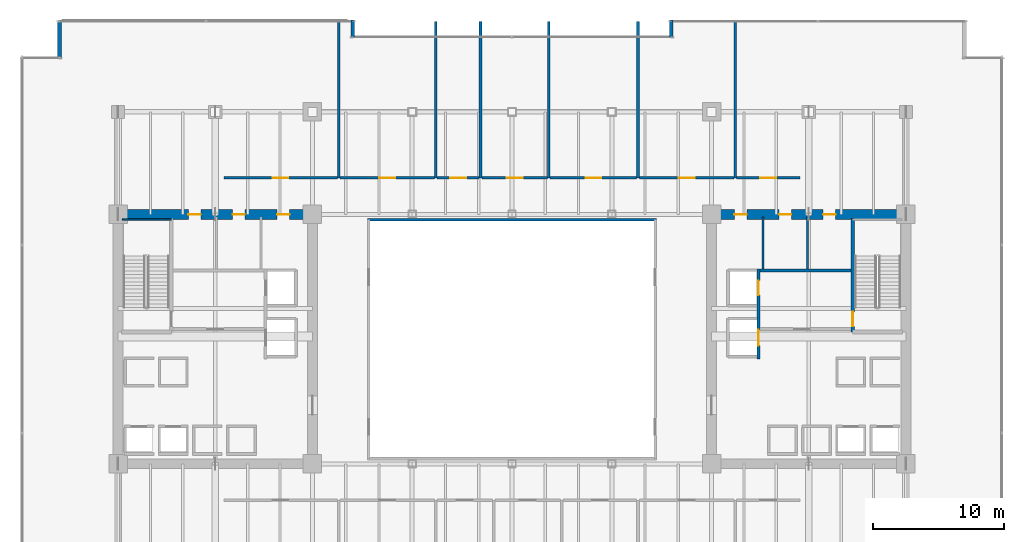
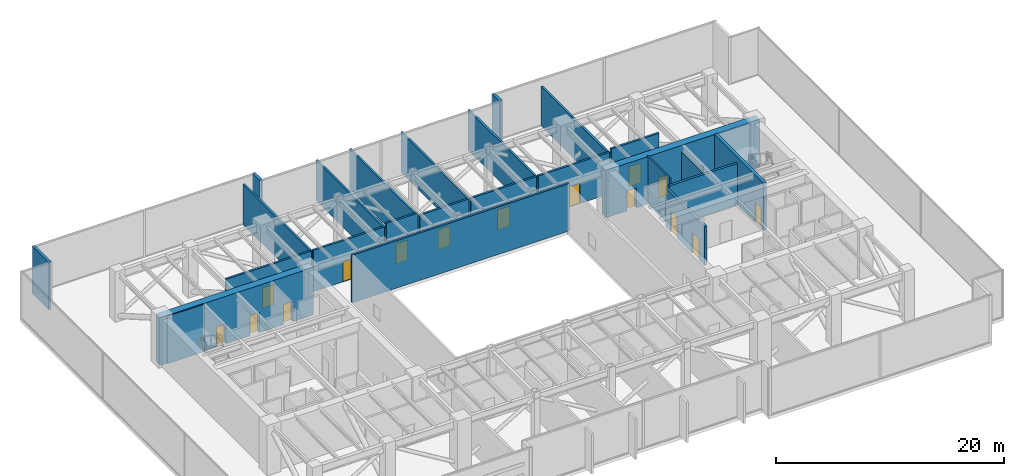
# One storey, part 34 of 38: 25 walls, 16 doors, 16 openings.
"""IFC4 building model written with IfcOpenShell, lengths in metres."""

from ifc_helpers import new_model, si_unit, direction, frame, frame_2d, origin, place, context, subcontext, project, spatial, rectangle, extrude, source, transform, mapped, material, layer, layer_set, type_object, type_shapes, element, fill, save


model = new_model("IFC4")

# Units and contexts
model_context = context("Model", 3, precision=1e-05, world=origin(), true_north=direction((0.0, 1.0)))
body_context = subcontext(model_context, "Body", "Model", "MODEL_VIEW")
ifc_project = project(units=[si_unit("LENGTHUNIT", "METRE"), si_unit("AREAUNIT", "SQUARE_METRE"), si_unit("VOLUMEUNIT", "CUBIC_METRE"), si_unit("PLANEANGLEUNIT", "RADIAN"), si_unit("MASSUNIT", "GRAM", prefix="KILO")], contexts=[model_context])

# Site, building, storey
site_placement = place(None, origin())
site = spatial("IfcSite", under=ifc_project, at=site_placement, CompositionType="ELEMENT")
building_placement = place(site_placement, origin())
building = spatial("IfcBuilding", under=site, at=building_placement, Name="Haelvirn Gate Laboratories", CompositionType="ELEMENT")
storey_placement = place(building_placement, frame((0.0, 0.0, 94.89990234375)))
storey = spatial("IfcBuildingStorey", under=building, at=storey_placement, Name="L23", CompositionType="ELEMENT", Elevation=94.89990234375)

# Walls
ifc_material_1 = material(Name="Thermally-broken bronze aluminium rainscreen & mineral wool", Category="aluminium")
ifc_layer_1 = layer(ifc_material_1, 0.280029296875, Name="EW-TERR-280")
ifc_layer_set_1 = layer_set([ifc_layer_1], Name="Thermally-broken bronze aluminium rainscreen & mineral wool")
wall_type_1 = type_object("IfcWallType", Name="EW-TERR-280", PredefinedType="STANDARD", material=ifc_layer_set_1)
for number, where, z_axis, x_axis, name in (
    (1, (49.5400390625, 48.60009765625, 0.0), (0.0, 0.0, 1.0), (0.0, -1.0, 0.0), "L23 Atrium Recess Bronze Return Wall 11"),
    (2, (25.260009765625, 47.31201171875, 0.0), (0.0, 0.0, 1.0), (0.0, 1.0, 0.0), "L23 Atrium Recess Bronze Return Wall 13"),
):
    element("IfcWall", number, at=place(storey_placement, frame(where, z_axis=z_axis, x_axis=x_axis)), inside=storey, type_object=wall_type_1, Name=name, PredefinedType="STANDARD", context=body_context, shape_type="SweptSolid", body=[
        extrude(rectangle(XDim=1.2880859375, YDim=0.280029296875, at=frame_2d((0.64404296875, 0.0))), origin(), (0.0, 0.0, 1.0), 5.090087890625),
    ])
wall_1_placement = place(storey_placement, frame((2.93994140625, 48.60009765625, 0.0), z_axis=(0.0, 0.0, 1.0), x_axis=(0.0, -1.0, 0.0)))
element("IfcWall", 3, at=wall_1_placement, inside=storey, type_object=wall_type_1, Name="L23 Atrium Recess Bronze Return Wall 15", PredefinedType="STANDARD", context=body_context, shape_type="SweptSolid", body=[
    extrude(rectangle(XDim=2.88818359375, YDim=0.280029296875, at=frame_2d((1.444091796875, 0.0))), origin(), (0.0, 0.0, 1.0), 5.090087890625),
])
ifc_material_2 = material(Name="Tempered fire-rated borosilicate glass & anodised aluminium", Category="aluminium")
ifc_layer_2 = layer(ifc_material_2, 0.195068359375, Name="IW-GLAZ-200")
ifc_layer_set_2 = layer_set([ifc_layer_2], Name="Tempered fire-rated borosilicate glass & anodised aluminium")
wall_type_2 = type_object("IfcWallType", Name="IW-GLAZ-200", PredefinedType="SOLIDWALL", material=ifc_layer_set_2)
wall_2_placement = place(storey_placement, frame((26.39990234375, 33.39990234375, 0.0), z_axis=(0.0, 0.0, 1.0), x_axis=(1.0, 0.0, 0.0)))
element("IfcWall", 4, at=wall_2_placement, inside=storey, type_object=wall_type_2, Name="L23 Interior Wall IW-L23-ATRIUM-N", PredefinedType="SOLIDWALL", context=body_context, shape_type="SweptSolid", body=[
    extrude(rectangle(XDim=22.0, YDim=0.195068359375, at=frame_2d((11.0, 0.0))), origin(), (0.0, 0.0, 1.0), 5.090087890625),
])
ifc_material_3 = material(Name="Cement-board restroom plumbing chase wall", Category="gypsum")
ifc_layer_3 = layer(ifc_material_3, 0.155029296875, Name="IW-PLUMB-160")
ifc_layer_set_3 = layer_set([ifc_layer_3], Name="Cement-board restroom plumbing chase wall")
wall_type_3 = type_object("IfcWallType", Name="IW-PLUMB-160", PredefinedType="PLUMBINGWALL", material=ifc_layer_set_3)
wall_3_placement = place(storey_placement, frame((59.909912109375, 29.64990234375, 0.0), z_axis=(0.0, 0.0, 1.0), x_axis=(0.0, 1.0, 0.0)))
element("IfcWall", 5, at=wall_3_placement, inside=storey, type_object=wall_type_3, Name="L23 Interior Wall IW-L23-E-CDIV-1", PredefinedType="PLUMBINGWALL", context=body_context, shape_type="SweptSolid", body=[
    extrude(rectangle(XDim=3.93017578125, YDim=0.155029296875, at=frame_2d((1.965087890625, 0.0))), origin(), (0.0, 0.0, 1.0), 4.425048828125),
])
wall_4_placement = place(storey_placement, frame((56.510009765625, 29.64990234375, 0.0), z_axis=(0.0, 0.0, 1.0), x_axis=(0.0, 1.0, 0.0)))
element("IfcWall", 6, at=wall_4_placement, inside=storey, type_object=wall_type_3, Name="L23 Interior Wall IW-L23-E-CDIV-2", PredefinedType="PLUMBINGWALL", context=body_context, shape_type="SweptSolid", body=[
    extrude(rectangle(XDim=3.93017578125, YDim=0.155029296875, at=frame_2d((1.965087890625, 0.0))), origin(), (0.0, 0.0, 1.0), 5.090087890625),
])

# Wall, opening, door
ifc_material_4 = material(Name="Concrete C40/50", Category="concrete")
ifc_layer_4 = layer(ifc_material_4, 0.199951171875, Name="IW-SHAFT-200")
ifc_layer_set_4 = layer_set([ifc_layer_4], Name="Concrete C40/50")
wall_type_4 = type_object("IfcWallType", Name="IW-SHAFT-200", PredefinedType="SOLIDWALL", material=ifc_layer_set_4)
wall_5_placement = place(storey_placement, frame((15.449951171875, 36.580078125, 0.0), z_axis=(0.0, 0.0, 1.0), x_axis=(1.0, 0.0, 0.0)))
wall_5 = element("IfcWall", 7, at=wall_5_placement, inside=storey, type_object=wall_type_4, Name="L23 Interior Wall IW-L23-PNW-1", PredefinedType="SOLIDWALL", context=body_context, shape_type="SweptSolid", body=[
    extrude(rectangle(XDim=8.650146484375, YDim=0.199951171875, at=frame_2d((4.3251953125, 0.0))), origin(), (0.0, 0.0, 1.0), 4.425048828125),
])
opening_1_placement = place(wall_5_placement, frame((3.72509765625, 0.0, 0.0)))
opening_1 = element("IfcOpeningElement", 8, at=opening_1_placement, cuts=wall_5, Name="Opening FD2", PredefinedType="OPENING", context=body_context, shape_type="SweptSolid", body=[
    extrude(rectangle(XDim=1.199951171875, YDim=2.159912109375, at=frame_2d((0.60009765625, 1.080078125))), frame((0.0, 0.10986328125, 0.0), z_axis=(0.0, -1.0, 0.0), x_axis=(1.0, 0.0, 0.0)), (0.0, 0.0, 1.0), 0.219970703125),
])
ifc_material_5 = material(Name="Fire-rated steel SM355 compartment door", Category="steel")
door_type_1 = type_object("IfcDoorType", Name="DR-FD-1200", OperationType="NOTDEFINED", PredefinedType="DOOR", material=ifc_material_5)
shared_shape_1 = source(origin(), body_context, "Body", "SweptSolid", [
    extrude(rectangle(XDim=1.199951171875, YDim=2.159912109375, at=frame_2d((0.60009765625, 1.080078125))), frame((0.0, 0.02490234375, 0.0), z_axis=(0.0, -1.0, 0.0), x_axis=(1.0, 0.0, 0.0)), (0.0, 0.0, 1.0), 0.050048828125),
])
type_shapes(door_type_1, [shared_shape_1])
door_1_placement = place(opening_1_placement, origin())
door_1 = element("IfcDoor", 9, at=door_1_placement, inside=storey, type_object=door_type_1, Name="L23 North-West Sky Evacuation Refuge Zone 1A Fire Door", OperationType="SINGLE_SWING_RIGHT", OverallHeight=2.159912109375, OverallWidth=1.199951171875, PredefinedType="DOOR", context=body_context, shape_type="MappedRepresentation", body=[
    mapped(shared_shape_1, transform((0.0, 0.0, 0.0), scale=1.0)),
])
fill(opening_1, door_1)

# Wall
wall_6_placement = place(storey_placement, frame((24.199951171875, 36.580078125, 0.0), z_axis=(0.0, 0.0, 1.0), x_axis=(0.0, 1.0, 0.0)))
element("IfcWall", 10, at=wall_6_placement, inside=storey, type_object=wall_type_4, Name="L23 Interior Wall IW-L23-PNDIV-1", PredefinedType="SOLIDWALL", context=body_context, shape_type="SweptSolid", body=[
    extrude(rectangle(XDim=11.909912109375, YDim=0.199951171875, at=frame_2d((5.955078125, 0.0))), origin(), (0.0, 0.0, 1.0), 4.3251953125),
])

# Wall, opening, door
wall_7_placement = place(storey_placement, frame((24.300048828125, 36.580078125, 0.0), z_axis=(0.0, 0.0, 1.0), x_axis=(1.0, 0.0, 0.0)))
wall_7 = element("IfcWall", 11, at=wall_7_placement, inside=storey, type_object=wall_type_4, Name="L23 Interior Wall IW-L23-PNW-2", PredefinedType="SOLIDWALL", context=body_context, shape_type="SweptSolid", body=[
    extrude(rectangle(XDim=7.199951171875, YDim=0.199951171875, at=frame_2d((3.60009765625, 0.0))), origin(), (0.0, 0.0, 1.0), 4.425048828125),
])
opening_2_placement = place(wall_7_placement, frame((3.0, 0.0, 0.0)))
opening_2 = element("IfcOpeningElement", 12, at=opening_2_placement, cuts=wall_7, Name="Opening FD2", PredefinedType="OPENING", context=body_context, shape_type="SweptSolid", body=[
    extrude(rectangle(XDim=1.199951171875, YDim=2.159912109375, at=frame_2d((0.60009765625, 1.080078125))), frame((0.0, 0.10986328125, 0.0), z_axis=(0.0, -1.0, 0.0), x_axis=(1.0, 0.0, 0.0)), (0.0, 0.0, 1.0), 0.219970703125),
])
door_2_placement = place(opening_2_placement, origin())
door_2 = element("IfcDoor", 13, at=door_2_placement, inside=storey, type_object=door_type_1, Name="L23 North-West Sky Evacuation Refuge Zone 1B Fire Door", OperationType="SINGLE_SWING_LEFT", OverallHeight=2.159912109375, OverallWidth=1.199951171875, PredefinedType="DOOR", context=body_context, shape_type="MappedRepresentation", body=[
    mapped(shared_shape_1, transform((0.0, 0.0, 0.0), scale=1.0)),
])
fill(opening_2, door_2)

# Wall
wall_8_placement = place(storey_placement, frame((31.60009765625, 36.580078125, 0.0), z_axis=(0.0, 0.0, 1.0), x_axis=(0.0, 1.0, 0.0)))
element("IfcWall", 14, at=wall_8_placement, inside=storey, type_object=wall_type_4, Name="L23 Interior Wall IW-L23-PNDIV-2", PredefinedType="SOLIDWALL", context=body_context, shape_type="SweptSolid", body=[
    extrude(rectangle(XDim=11.909912109375, YDim=0.199951171875, at=frame_2d((5.955078125, 0.0))), origin(), (0.0, 0.0, 1.0), 4.3251953125),
])

# Wall, opening, door
wall_9_placement = place(storey_placement, frame((31.699951171875, 36.580078125, 0.0), z_axis=(0.0, 0.0, 1.0), x_axis=(1.0, 0.0, 0.0)))
wall_9 = element("IfcWall", 15, at=wall_9_placement, inside=storey, type_object=wall_type_4, Name="L23 Interior Wall IW-L23-PNW-3", PredefinedType="SOLIDWALL", context=body_context, shape_type="SweptSolid", body=[
    extrude(rectangle(XDim=3.199951171875, YDim=0.199951171875, at=frame_2d((1.60009765625, 0.0))), origin(), (0.0, 0.0, 1.0), 4.72509765625),
])
opening_3_placement = place(wall_9_placement, frame((1.0, 0.0, 0.0)))
opening_3 = element("IfcOpeningElement", 16, at=opening_3_placement, cuts=wall_9, Name="Opening FD2", PredefinedType="OPENING", context=body_context, shape_type="SweptSolid", body=[
    extrude(rectangle(XDim=1.199951171875, YDim=2.159912109375, at=frame_2d((0.60009765625, 1.080078125))), frame((0.0, 0.10986328125, 0.0), z_axis=(0.0, -1.0, 0.0), x_axis=(1.0, 0.0, 0.0)), (0.0, 0.0, 1.0), 0.219970703125),
])
door_3_placement = place(opening_3_placement, origin())
door_3 = element("IfcDoor", 17, at=door_3_placement, inside=storey, type_object=door_type_1, Name="L23 Low-Zone AHU Mechanical Plant Fire Door", OperationType="SINGLE_SWING_RIGHT", OverallHeight=2.159912109375, OverallWidth=1.199951171875, PredefinedType="DOOR", context=body_context, shape_type="MappedRepresentation", body=[
    mapped(shared_shape_1, transform((0.0, 0.0, 0.0), scale=1.0)),
])
fill(opening_3, door_3)

# Wall
wall_10_placement = place(storey_placement, frame((35.0, 36.580078125, 0.0), z_axis=(0.0, 0.0, 1.0), x_axis=(0.0, 1.0, 0.0)))
element("IfcWall", 18, at=wall_10_placement, inside=storey, type_object=wall_type_4, Name="L23 Interior Wall IW-L23-PNDIV-3", PredefinedType="SOLIDWALL", context=body_context, shape_type="SweptSolid", body=[
    extrude(rectangle(XDim=11.909912109375, YDim=0.199951171875, at=frame_2d((5.955078125, 0.0))), origin(), (0.0, 0.0, 1.0), 4.3251953125),
])

# Wall, opening, door
wall_11_placement = place(storey_placement, frame((35.10009765625, 36.580078125, 0.0), z_axis=(0.0, 0.0, 1.0), x_axis=(1.0, 0.0, 0.0)))
wall_11 = element("IfcWall", 19, at=wall_11_placement, inside=storey, type_object=wall_type_4, Name="L23 Interior Wall IW-L23-PNW-4", PredefinedType="SOLIDWALL", context=body_context, shape_type="SweptSolid", body=[
    extrude(rectangle(XDim=5.0, YDim=0.199951171875, at=frame_2d((2.5, 0.0))), origin(), (0.0, 0.0, 1.0), 4.425048828125),
])
opening_4_placement = place(wall_11_placement, frame((1.89990234375, 0.0, 0.0)))
opening_4 = element("IfcOpeningElement", 20, at=opening_4_placement, cuts=wall_11, Name="Opening FD2", PredefinedType="OPENING", context=body_context, shape_type="SweptSolid", body=[
    extrude(rectangle(XDim=1.199951171875, YDim=2.159912109375, at=frame_2d((0.60009765625, 1.080078125))), frame((0.0, 0.10986328125, 0.0), z_axis=(0.0, -1.0, 0.0), x_axis=(1.0, 0.0, 0.0)), (0.0, 0.0, 1.0), 0.219970703125),
])
door_4_placement = place(opening_4_placement, origin())
door_4 = element("IfcDoor", 21, at=door_4_placement, inside=storey, type_object=door_type_1, Name="L23 Glycol Heat-Recovery Plant Fire Door", OperationType="SINGLE_SWING_LEFT", OverallHeight=2.159912109375, OverallWidth=1.199951171875, PredefinedType="DOOR", context=body_context, shape_type="MappedRepresentation", body=[
    mapped(shared_shape_1, transform((0.0, 0.0, 0.0), scale=1.0)),
])
fill(opening_4, door_4)

# Wall
wall_12_placement = place(storey_placement, frame((40.199951171875, 36.580078125, 0.0), z_axis=(0.0, 0.0, 1.0), x_axis=(0.0, 1.0, 0.0)))
element("IfcWall", 22, at=wall_12_placement, inside=storey, type_object=wall_type_4, Name="L23 Interior Wall IW-L23-PNDIV-4", PredefinedType="SOLIDWALL", context=body_context, shape_type="SweptSolid", body=[
    extrude(rectangle(XDim=11.909912109375, YDim=0.199951171875, at=frame_2d((5.955078125, 0.0))), origin(), (0.0, 0.0, 1.0), 4.3251953125),
])

# Wall, opening, door
wall_13_placement = place(storey_placement, frame((40.300048828125, 36.580078125, 0.0), z_axis=(0.0, 0.0, 1.0), x_axis=(1.0, 0.0, 0.0)))
wall_13 = element("IfcWall", 23, at=wall_13_placement, inside=storey, type_object=wall_type_4, Name="L23 Interior Wall IW-L23-PNW-5", PredefinedType="SOLIDWALL", context=body_context, shape_type="SweptSolid", body=[
    extrude(rectangle(XDim=6.599853515625, YDim=0.199951171875, at=frame_2d((3.2998046875, 0.0))), origin(), (0.0, 0.0, 1.0), 4.425048828125),
])
opening_5_placement = place(wall_13_placement, frame((2.699951171875, 0.0, 0.0)))
opening_5 = element("IfcOpeningElement", 24, at=opening_5_placement, cuts=wall_13, Name="Opening FD2", PredefinedType="OPENING", context=body_context, shape_type="SweptSolid", body=[
    extrude(rectangle(XDim=1.199951171875, YDim=2.159912109375, at=frame_2d((0.60009765625, 1.080078125))), frame((0.0, 0.10986328125, 0.0), z_axis=(0.0, -1.0, 0.0), x_axis=(1.0, 0.0, 0.0)), (0.0, 0.0, 1.0), 0.219970703125),
])
door_5_placement = place(opening_5_placement, origin())
door_5 = element("IfcDoor", 25, at=door_5_placement, inside=storey, type_object=door_type_1, Name="L23 Standby Controls & MEP Plant Fire Door", OperationType="SINGLE_SWING_RIGHT", OverallHeight=2.159912109375, OverallWidth=1.199951171875, PredefinedType="DOOR", context=body_context, shape_type="MappedRepresentation", body=[
    mapped(shared_shape_1, transform((0.0, 0.0, 0.0), scale=1.0)),
])
fill(opening_5, door_5)

# Wall
wall_14_placement = place(storey_placement, frame((47.0, 36.580078125, 0.0), z_axis=(0.0, 0.0, 1.0), x_axis=(0.0, 1.0, 0.0)))
element("IfcWall", 26, at=wall_14_placement, inside=storey, type_object=wall_type_4, Name="L23 Interior Wall IW-L23-PNDIV-5", PredefinedType="SOLIDWALL", context=body_context, shape_type="SweptSolid", body=[
    extrude(rectangle(XDim=11.909912109375, YDim=0.199951171875, at=frame_2d((5.955078125, 0.0))), origin(), (0.0, 0.0, 1.0), 4.3251953125),
])

# Wall, opening, door
wall_15_placement = place(storey_placement, frame((47.10009765625, 36.580078125, 0.0), z_axis=(0.0, 0.0, 1.0), x_axis=(1.0, 0.0, 0.0)))
wall_15 = element("IfcWall", 27, at=wall_15_placement, inside=storey, type_object=wall_type_4, Name="L23 Interior Wall IW-L23-PNW-6", PredefinedType="SOLIDWALL", context=body_context, shape_type="SweptSolid", body=[
    extrude(rectangle(XDim=7.199951171875, YDim=0.199951171875, at=frame_2d((3.60009765625, 0.0))), origin(), (0.0, 0.0, 1.0), 4.425048828125),
])
opening_6_placement = place(wall_15_placement, frame((3.0, 0.0, 0.0)))
opening_6 = element("IfcOpeningElement", 28, at=opening_6_placement, cuts=wall_15, Name="Opening FD2", PredefinedType="OPENING", context=body_context, shape_type="SweptSolid", body=[
    extrude(rectangle(XDim=1.199951171875, YDim=2.159912109375, at=frame_2d((0.60009765625, 1.080078125))), frame((0.0, 0.10986328125, 0.0), z_axis=(0.0, -1.0, 0.0), x_axis=(1.0, 0.0, 0.0)), (0.0, 0.0, 1.0), 0.219970703125),
])
door_6_placement = place(opening_6_placement, origin())
door_6 = element("IfcDoor", 29, at=door_6_placement, inside=storey, type_object=door_type_1, Name="L23 North-East Sky Evacuation Refuge Zone 1B Fire Door", OperationType="SINGLE_SWING_LEFT", OverallHeight=2.159912109375, OverallWidth=1.199951171875, PredefinedType="DOOR", context=body_context, shape_type="MappedRepresentation", body=[
    mapped(shared_shape_1, transform((0.0, 0.0, 0.0), scale=1.0)),
])
fill(opening_6, door_6)

# Wall
wall_16_placement = place(storey_placement, frame((54.39990234375, 36.580078125, 0.0), z_axis=(0.0, 0.0, 1.0), x_axis=(0.0, 1.0, 0.0)))
element("IfcWall", 30, at=wall_16_placement, inside=storey, type_object=wall_type_4, Name="L23 Interior Wall IW-L23-PNDIV-6", PredefinedType="SOLIDWALL", context=body_context, shape_type="SweptSolid", body=[
    extrude(rectangle(XDim=11.909912109375, YDim=0.199951171875, at=frame_2d((5.955078125, 0.0))), origin(), (0.0, 0.0, 1.0), 4.22509765625),
])

# Wall, opening, door
wall_17_placement = place(storey_placement, frame((54.5, 36.580078125, 0.0), z_axis=(0.0, 0.0, 1.0), x_axis=(1.0, 0.0, 0.0)))
wall_17 = element("IfcWall", 31, at=wall_17_placement, inside=storey, type_object=wall_type_4, Name="L23 Interior Wall IW-L23-PNW-7", PredefinedType="SOLIDWALL", context=body_context, shape_type="SweptSolid", body=[
    extrude(rectangle(XDim=4.85009765625, YDim=0.199951171875, at=frame_2d((2.425048828125, 0.0))), origin(), (0.0, 0.0, 1.0), 4.72509765625),
])
opening_7_placement = place(wall_17_placement, frame((1.824951171875, 0.0, 0.0)))
opening_7 = element("IfcOpeningElement", 32, at=opening_7_placement, cuts=wall_17, Name="Opening FD2", PredefinedType="OPENING", context=body_context, shape_type="SweptSolid", body=[
    extrude(rectangle(XDim=1.199951171875, YDim=2.159912109375, at=frame_2d((0.60009765625, 1.080078125))), frame((0.0, 0.10986328125, 0.0), z_axis=(0.0, -1.0, 0.0), x_axis=(1.0, 0.0, 0.0)), (0.0, 0.0, 1.0), 0.219970703125),
])
door_7_placement = place(opening_7_placement, origin())
door_7 = element("IfcDoor", 33, at=door_7_placement, inside=storey, type_object=door_type_1, Name="L23 North-East Sky Evacuation Refuge Zone 1A Fire Door", OperationType="SINGLE_SWING_RIGHT", OverallHeight=2.159912109375, OverallWidth=1.199951171875, PredefinedType="DOOR", context=body_context, shape_type="MappedRepresentation", body=[
    mapped(shared_shape_1, transform((0.0, 0.0, 0.0), scale=1.0)),
])
fill(opening_7, door_7)

# Wall
ifc_layer_5 = layer(ifc_material_4, 0.239990234375, Name="IW-SHAFT-240")
ifc_layer_set_5 = layer_set([ifc_layer_5], Name="Concrete C40/50")
wall_type_5 = type_object("IfcWallType", Name="IW-SHAFT-240", PredefinedType="SOLIDWALL", material=ifc_layer_set_5)
wall_18_placement = place(storey_placement, frame((56.280029296875, 29.52001953125, 0.0), z_axis=(0.0, 0.0, 1.0), x_axis=(1.0, 0.0, 0.0)))
element("IfcWall", 34, at=wall_18_placement, inside=storey, type_object=wall_type_5, Name="L23 Interior Wall IW-L23-E-FF-N", PredefinedType="SOLIDWALL", context=body_context, shape_type="SweptSolid", body=[
    extrude(rectangle(XDim=6.919921875, YDim=0.239990234375, at=frame_2d((3.4599609375, 0.0))), origin(), (0.0, 0.0, 1.0), 4.425048828125),
])

# Wall, openings, doors
wall_19_placement = place(storey_placement, frame((56.159912109375, 22.800048828125, 0.0), z_axis=(0.0, 0.0, 1.0), x_axis=(0.0, 1.0, 0.0)))
wall_19 = element("IfcWall", 35, at=wall_19_placement, inside=storey, type_object=wall_type_5, Name="L23 Interior Wall IW-L23-E-FF-E", PredefinedType="SOLIDWALL", context=body_context, shape_type="SweptSolid", body=[
    extrude(rectangle(XDim=6.849853515625, YDim=0.239990234375, at=frame_2d((3.4248046875, 0.0))), origin(), (0.0, 0.0, 1.0), 4.175048828125),
])
opening_8_placement = place(wall_19_placement, frame((4.85009765625, 0.0, 0.0)))
opening_8 = element("IfcOpeningElement", 36, at=opening_8_placement, cuts=wall_19, Name="Opening LD2", PredefinedType="OPENING", context=body_context, shape_type="SweptSolid", body=[
    extrude(rectangle(XDim=1.10009765625, YDim=2.219970703125, at=frame_2d((0.550048828125, 1.10986328125))), frame((0.0, 0.1298828125, 0.0), z_axis=(0.0, -1.0, 0.0), x_axis=(1.0, 0.0, 0.0)), (0.0, 0.0, 1.0), 0.260009765625),
])
opening_9_placement = place(wall_19_placement, frame((1.0, 0.0, 0.0)))
opening_9 = element("IfcOpeningElement", 37, at=opening_9_placement, cuts=wall_19, Name="Opening LD1", PredefinedType="OPENING", context=body_context, shape_type="SweptSolid", body=[
    extrude(rectangle(XDim=1.199951171875, YDim=2.219970703125, at=frame_2d((0.60009765625, 1.10986328125))), frame((0.0, 0.1298828125, 0.0), z_axis=(0.0, -1.0, 0.0), x_axis=(1.0, 0.0, 0.0)), (0.0, 0.0, 1.0), 0.260009765625),
])
ifc_material_6 = material(Name="Bronze stainless 316L sliding lift landing door")
door_type_2 = type_object("IfcDoorType", Name="DR-LD-1100", OperationType="NOTDEFINED", PredefinedType="USERDEFINED", material=ifc_material_6)
shared_shape_2 = source(origin(), body_context, "Body", "SweptSolid", [
    extrude(rectangle(XDim=1.10009765625, YDim=2.219970703125, at=frame_2d((0.550048828125, 1.10986328125))), frame((0.0, 0.02490234375, 0.0), z_axis=(0.0, -1.0, 0.0), x_axis=(1.0, 0.0, 0.0)), (0.0, 0.0, 1.0), 0.050048828125),
])
type_shapes(door_type_2, [shared_shape_2])
door_8_placement = place(opening_8_placement, origin())
door_8 = element("IfcDoor", 38, at=door_8_placement, inside=storey, type_object=door_type_2, Name="L23 Firefighting Lift FL2 Landing Door", ObjectType="LANDING_DOOR", OperationType="SLIDING_TO_RIGHT", OverallHeight=2.219970703125, OverallWidth=1.10009765625, PredefinedType="USERDEFINED", context=body_context, shape_type="MappedRepresentation", body=[
    mapped(shared_shape_2, transform((0.0, 0.0, 0.0), scale=1.0)),
])
fill(opening_8, door_8)
ifc_material_7 = material(Name="Stainless steel 316L sliding goods landing door", Category="steel")
door_type_3 = type_object("IfcDoorType", Name="DR-LD-1200", OperationType="NOTDEFINED", PredefinedType="USERDEFINED", material=ifc_material_7)
shared_shape_3 = source(origin(), body_context, "Body", "SweptSolid", [
    extrude(rectangle(XDim=1.199951171875, YDim=2.219970703125, at=frame_2d((0.60009765625, 1.10986328125))), frame((0.0, 0.02490234375, 0.0), z_axis=(0.0, -1.0, 0.0), x_axis=(1.0, 0.0, 0.0)), (0.0, 0.0, 1.0), 0.050048828125),
])
type_shapes(door_type_3, [shared_shape_3])
door_9_placement = place(opening_9_placement, origin())
door_9 = element("IfcDoor", 39, at=door_9_placement, inside=storey, type_object=door_type_3, Name="L23 Service Lift SL2 Landing Door", ObjectType="LANDING_DOOR", OperationType="SLIDING_TO_LEFT", OverallHeight=2.219970703125, OverallWidth=1.199951171875, PredefinedType="USERDEFINED", context=body_context, shape_type="MappedRepresentation", body=[
    mapped(shared_shape_3, transform((0.0, 0.0, 0.0), scale=1.0)),
])
fill(opening_9, door_9)

ifc_material_8 = material(Name="Concrete C70/85", Category="concrete")
ifc_layer_6 = layer(ifc_material_8, 0.75, Name="SW-CORE-750")
ifc_layer_set_6 = layer_set([ifc_layer_6], Name="Concrete C70/85")
wall_type_6 = type_object("IfcWallType", Name="SW-CORE-750", PredefinedType="SHEAR", material=ifc_layer_set_6)
wall_20_placement = place(storey_placement, frame((7.02490234375, 33.800048828125, 0.0), z_axis=(0.0, 0.0, 1.0), x_axis=(1.0, 0.0, 0.0)))
wall_20 = element("IfcWall", 40, at=wall_20_placement, inside=storey, type_object=wall_type_6, Name="L23 W Core Shear Wall N", PredefinedType="SHEAR", context=body_context, shape_type="SweptSolid", body=[
    extrude(rectangle(XDim=15.550048828125, YDim=0.75, at=frame_2d((7.77490234375, 0.0))), origin(), (0.0, 0.0, 1.0), 5.090087890625),
])
opening_10_placement = place(wall_20_placement, frame((5.72509765625, 0.0, 0.0)))
opening_10 = element("IfcOpeningElement", 41, at=opening_10_placement, cuts=wall_20, Name="Opening FD4", PredefinedType="OPENING", context=body_context, shape_type="SweptSolid", body=[
    extrude(rectangle(XDim=0.949951171875, YDim=2.14990234375, at=frame_2d((0.47509765625, 1.074951171875))), frame((0.0, 0.385009765625, 0.0), z_axis=(0.0, -1.0, 0.0), x_axis=(1.0, 0.0, 0.0)), (0.0, 0.0, 1.0), 0.77001953125),
])
opening_11_placement = place(wall_20_placement, frame((9.090087890625, 0.0, 0.0)))
opening_11 = element("IfcOpeningElement", 42, at=opening_11_placement, cuts=wall_20, Name="Opening FD4", PredefinedType="OPENING", context=body_context, shape_type="SweptSolid", body=[
    extrude(rectangle(XDim=0.949951171875, YDim=2.14990234375, at=frame_2d((0.47509765625, 1.074951171875))), frame((0.0, 0.385009765625, 0.0), z_axis=(0.0, -1.0, 0.0), x_axis=(1.0, 0.0, 0.0)), (0.0, 0.0, 1.0), 0.77001953125),
])
opening_12_placement = place(wall_20_placement, frame((12.489990234375, 0.0, 0.0)))
opening_12 = element("IfcOpeningElement", 43, at=opening_12_placement, cuts=wall_20, Name="Opening FD4", PredefinedType="OPENING", context=body_context, shape_type="SweptSolid", body=[
    extrude(rectangle(XDim=0.949951171875, YDim=2.14990234375, at=frame_2d((0.47509765625, 1.074951171875))), frame((0.0, 0.385009765625, 0.0), z_axis=(0.0, -1.0, 0.0), x_axis=(1.0, 0.0, 0.0)), (0.0, 0.0, 1.0), 0.77001953125),
])
ifc_material_9 = material(Name="Fire-rated steel SM355 core service door", Category="steel")
door_type_4 = type_object("IfcDoorType", Name="DR-FD-950", OperationType="NOTDEFINED", PredefinedType="DOOR", material=ifc_material_9)
shared_shape_4 = source(origin(), body_context, "Body", "SweptSolid", [
    extrude(rectangle(XDim=0.949951171875, YDim=2.14990234375, at=frame_2d((0.47509765625, 1.074951171875))), frame((0.0, 0.02490234375, 0.0), z_axis=(0.0, -1.0, 0.0), x_axis=(1.0, 0.0, 0.0)), (0.0, 0.0, 1.0), 0.050048828125),
])
type_shapes(door_type_4, [shared_shape_4])
door_10_placement = place(opening_10_placement, origin())
door_10 = element("IfcDoor", 44, at=door_10_placement, inside=storey, type_object=door_type_4, Name="L23 Male Restroom Fire Door", OperationType="SINGLE_SWING_RIGHT", OverallHeight=2.14990234375, OverallWidth=0.949951171875, PredefinedType="DOOR", context=body_context, shape_type="MappedRepresentation", body=[
    mapped(shared_shape_4, transform((0.0, 0.0, 0.0), scale=1.0)),
])
fill(opening_10, door_10)
door_11_placement = place(opening_11_placement, origin())
door_11 = element("IfcDoor", 45, at=door_11_placement, inside=storey, type_object=door_type_4, Name="L23 Female Restroom Fire Door", OperationType="SINGLE_SWING_LEFT", OverallHeight=2.14990234375, OverallWidth=0.949951171875, PredefinedType="DOOR", context=body_context, shape_type="MappedRepresentation", body=[
    mapped(shared_shape_4, transform((0.0, 0.0, 0.0), scale=1.0)),
])
fill(opening_11, door_11)
door_12_placement = place(opening_12_placement, origin())
door_12 = element("IfcDoor", 46, at=door_12_placement, inside=storey, type_object=door_type_4, Name="L23 Accessible Restroom Fire Door", OperationType="SINGLE_SWING_RIGHT", OverallHeight=2.14990234375, OverallWidth=0.949951171875, PredefinedType="DOOR", context=body_context, shape_type="MappedRepresentation", body=[
    mapped(shared_shape_4, transform((0.0, 0.0, 0.0), scale=1.0)),
])
fill(opening_12, door_12)

wall_21_placement = place(storey_placement, frame((52.22509765625, 33.800048828125, 0.0), z_axis=(0.0, 0.0, 1.0), x_axis=(1.0, 0.0, 0.0)))
wall_21 = element("IfcWall", 47, at=wall_21_placement, inside=storey, type_object=wall_type_6, Name="L23 E Core Shear Wall N", PredefinedType="SHEAR", context=body_context, shape_type="SweptSolid", body=[
    extrude(rectangle(XDim=15.5498046875, YDim=0.75, at=frame_2d((7.77490234375, 0.0))), origin(), (0.0, 0.0, 1.0), 5.090087890625),
])
opening_13_placement = place(wall_21_placement, frame((8.875, 0.0, 0.0)))
opening_13 = element("IfcOpeningElement", 48, at=opening_13_placement, cuts=wall_21, Name="Opening FD4", PredefinedType="OPENING", context=body_context, shape_type="SweptSolid", body=[
    extrude(rectangle(XDim=0.949951171875, YDim=2.14990234375, at=frame_2d((0.47509765625, 1.074951171875))), frame((0.0, 0.385009765625, 0.0), z_axis=(0.0, -1.0, 0.0), x_axis=(1.0, 0.0, 0.0)), (0.0, 0.0, 1.0), 0.77001953125),
])
opening_14_placement = place(wall_21_placement, frame((5.510009765625, 0.0, 0.0)))
opening_14 = element("IfcOpeningElement", 49, at=opening_14_placement, cuts=wall_21, Name="Opening FD4", PredefinedType="OPENING", context=body_context, shape_type="SweptSolid", body=[
    extrude(rectangle(XDim=0.949951171875, YDim=2.14990234375, at=frame_2d((0.47509765625, 1.074951171875))), frame((0.0, 0.385009765625, 0.0), z_axis=(0.0, -1.0, 0.0), x_axis=(1.0, 0.0, 0.0)), (0.0, 0.0, 1.0), 0.77001953125),
])
opening_15_placement = place(wall_21_placement, frame((2.110107421875, 0.0, 0.0)))
opening_15 = element("IfcOpeningElement", 50, at=opening_15_placement, cuts=wall_21, Name="Opening FD4", PredefinedType="OPENING", context=body_context, shape_type="SweptSolid", body=[
    extrude(rectangle(XDim=0.949951171875, YDim=2.14990234375, at=frame_2d((0.47509765625, 1.074951171875))), frame((0.0, 0.385009765625, 0.0), z_axis=(0.0, -1.0, 0.0), x_axis=(1.0, 0.0, 0.0)), (0.0, 0.0, 1.0), 0.77001953125),
])
door_13_placement = place(opening_13_placement, origin())
door_13 = element("IfcDoor", 51, at=door_13_placement, inside=storey, type_object=door_type_4, Name="L23 Male Restroom Fire Door", OperationType="SINGLE_SWING_RIGHT", OverallHeight=2.14990234375, OverallWidth=0.949951171875, PredefinedType="DOOR", context=body_context, shape_type="MappedRepresentation", body=[
    mapped(shared_shape_4, transform((0.0, 0.0, 0.0), scale=1.0)),
])
fill(opening_13, door_13)
door_14_placement = place(opening_14_placement, origin())
door_14 = element("IfcDoor", 52, at=door_14_placement, inside=storey, type_object=door_type_4, Name="L23 Female Restroom Fire Door", OperationType="SINGLE_SWING_LEFT", OverallHeight=2.14990234375, OverallWidth=0.949951171875, PredefinedType="DOOR", context=body_context, shape_type="MappedRepresentation", body=[
    mapped(shared_shape_4, transform((0.0, 0.0, 0.0), scale=1.0)),
])
fill(opening_14, door_14)
door_15_placement = place(opening_15_placement, origin())
door_15 = element("IfcDoor", 53, at=door_15_placement, inside=storey, type_object=door_type_4, Name="L23 Accessible Restroom Fire Door", OperationType="SINGLE_SWING_RIGHT", OverallHeight=2.14990234375, OverallWidth=0.949951171875, PredefinedType="DOOR", context=body_context, shape_type="MappedRepresentation", body=[
    mapped(shared_shape_4, transform((0.0, 0.0, 0.0), scale=1.0)),
])
fill(opening_15, door_15)

# Wall
ifc_material_10 = material(Name="Concrete C50/60", Category="concrete")
ifc_layer_7 = layer(ifc_material_10, 0.1201171875, Name="SW-LINER-120")
ifc_layer_set_7 = layer_set([ifc_layer_7], Name="Concrete C50/60")
wall_type_7 = type_object("IfcWallType", Name="SW-LINER-120", PredefinedType="SOLIDWALL", material=ifc_layer_set_7)
wall_22_placement = place(storey_placement, frame((7.72998046875, 33.39990234375, 0.0), z_axis=(0.0, 0.0, 1.0), x_axis=(1.0, 0.0, 0.0)))
element("IfcWall", 54, at=wall_22_placement, inside=storey, type_object=wall_type_7, Name="L23 W Core Stair Shaft Liner Wall N", PredefinedType="SOLIDWALL", context=body_context, shape_type="SweptSolid", body=[
    extrude(rectangle(XDim=3.719970703125, YDim=0.1201171875, at=frame_2d((1.85986328125, 0.0))), origin(), (0.0, 0.0, 1.0), 5.090087890625),
])

# Wall, opening, door
ifc_layer_8 = layer(ifc_material_10, 0.300048828125, Name="SW-STAIR-300")
ifc_layer_set_8 = layer_set([ifc_layer_8], Name="Concrete C50/60")
wall_type_8 = type_object("IfcWallType", Name="SW-STAIR-300", PredefinedType="SHEAR", material=ifc_layer_set_8)
wall_23_placement = place(storey_placement, frame((63.35009765625, 24.85009765625, 0.0), z_axis=(0.0, 0.0, 1.0), x_axis=(0.0, 1.0, 0.0)))
wall_23 = element("IfcWall", 55, at=wall_23_placement, inside=storey, type_object=wall_type_8, Name="L23 E Core Stair Shaft Structural Wall IN", PredefinedType="SHEAR", context=body_context, shape_type="SweptSolid", body=[
    extrude(rectangle(XDim=8.6298828125, YDim=0.300048828125, at=frame_2d((4.31494140625, 0.0))), origin(), (0.0, 0.0, 1.0), 5.090087890625),
])
opening_16_placement = place(wall_23_placement, frame((0.419921875, 0.0, 0.0)))
opening_16 = element("IfcOpeningElement", 56, at=opening_16_placement, cuts=wall_23, Name="Opening FD3", PredefinedType="OPENING", context=body_context, shape_type="SweptSolid", body=[
    extrude(rectangle(XDim=1.10009765625, YDim=2.14990234375, at=frame_2d((0.550048828125, 1.074951171875))), frame((0.0, 0.16015625, 0.0), z_axis=(0.0, -1.0, 0.0), x_axis=(1.0, 0.0, 0.0)), (0.0, 0.0, 1.0), 0.320068359375),
])
ifc_material_11 = material(Name="Fire-rated steel SM355 escape stair door", Category="steel")
door_type_5 = type_object("IfcDoorType", Name="DR-FD-1100", OperationType="NOTDEFINED", PredefinedType="DOOR", material=ifc_material_11)
shared_shape_5 = source(origin(), body_context, "Body", "SweptSolid", [
    extrude(rectangle(XDim=1.10009765625, YDim=2.14990234375, at=frame_2d((0.550048828125, 1.074951171875))), frame((0.0, 0.02490234375, 0.0), z_axis=(0.0, -1.0, 0.0), x_axis=(1.0, 0.0, 0.0)), (0.0, 0.0, 1.0), 0.050048828125),
])
type_shapes(door_type_5, [shared_shape_5])
door_16_placement = place(opening_16_placement, origin())
door_16 = element("IfcDoor", 57, at=door_16_placement, inside=storey, type_object=door_type_5, Name="L23 Escape Stair ST2 Fire Door", OperationType="SINGLE_SWING_RIGHT", OverallHeight=2.14990234375, OverallWidth=1.10009765625, PredefinedType="DOOR", context=body_context, shape_type="MappedRepresentation", body=[
    mapped(shared_shape_5, transform((0.0, 0.0, 0.0), scale=1.0)),
])
fill(opening_16, door_16)

save(model, "model.ifc")
